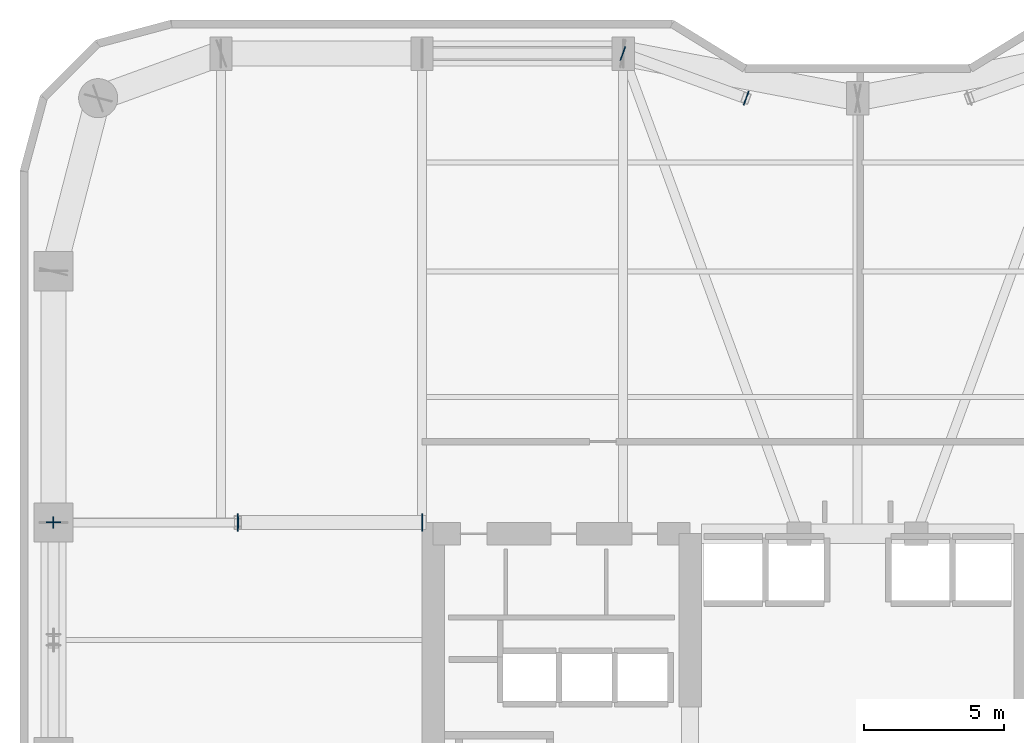
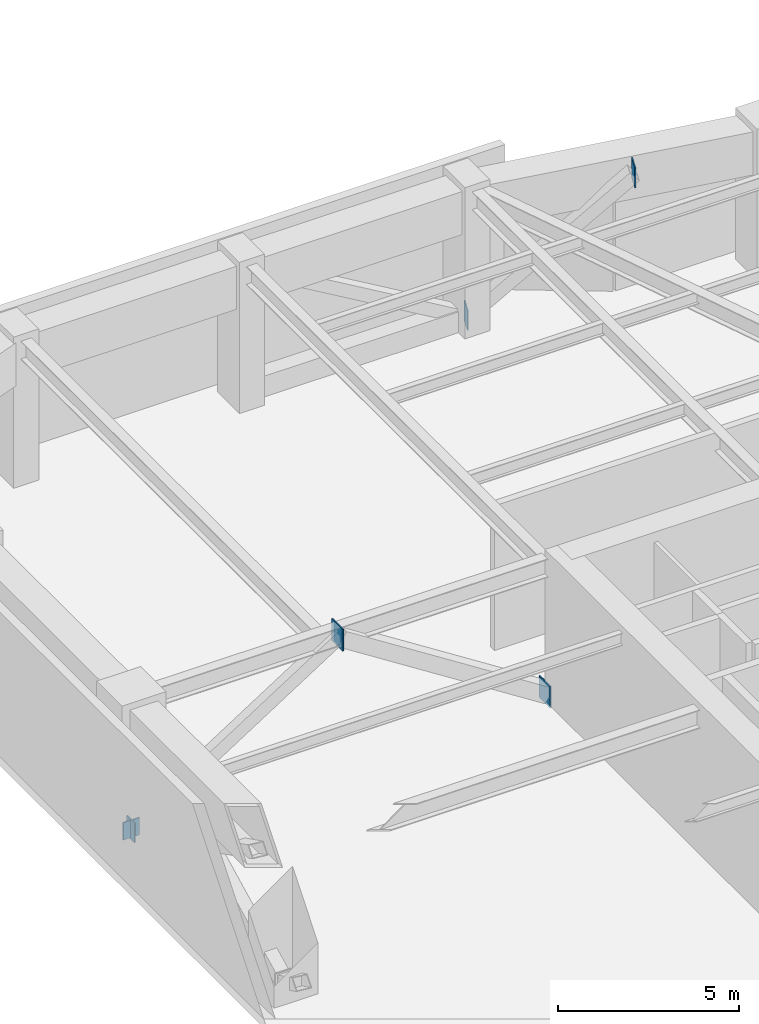
# One storey, part 10 of 16: 7 plates.
"""IFC4 building model written with IfcOpenShell, lengths in metres."""

from ifc_helpers import new_model, si_unit, direction, frame, origin, origin_2d, place, context, subcontext, project, spatial, rectangle, extrude, material, layer, layer_set, type_object, element, save


model = new_model("IFC4")

# Units and contexts
model_context = context("Model", 3, precision=1e-05, world=origin(), true_north=direction((0.0, 1.0)))
body_context = subcontext(model_context, "Body", "Model", "MODEL_VIEW")
ifc_project = project(units=[si_unit("LENGTHUNIT", "METRE"), si_unit("AREAUNIT", "SQUARE_METRE"), si_unit("VOLUMEUNIT", "CUBIC_METRE"), si_unit("PLANEANGLEUNIT", "RADIAN"), si_unit("MASSUNIT", "GRAM", prefix="KILO")], contexts=[model_context])

# Site, building, storey
site_placement = place(None, origin())
site = spatial("IfcSite", under=ifc_project, at=site_placement, CompositionType="ELEMENT")
building_placement = place(site_placement, origin())
building = spatial("IfcBuilding", under=site, at=building_placement, Name="Kiyonajd Concourse Tower", CompositionType="ELEMENT")
storey_placement = place(building_placement, frame((0.0, 0.0, 145.5)))
storey = spatial("IfcBuildingStorey", under=building, at=storey_placement, Name="L37", CompositionType="ELEMENT", Elevation=145.5)

# Plates
ifc_material = material(Name="Steel ASTM A572 Grade 50", Category="steel")
ifc_layer = layer(ifc_material, 0.031982421875)
ifc_layer_set = layer_set([ifc_layer], Name="Steel ASTM A572 Grade 50")
plate_type = type_object("IfcPlateType", Name="PL-CAP-540", PredefinedType="USERDEFINED", material=ifc_layer_set)
for number, where, z_axis, x_axis, name in (
    (1, (32.4091796875, 44.39990234375, -0.07275390625), (0.0, 0.0, 1.0), (1.0, 0.0, 0.0), "L37 Outrigger End Cap Plate 03"),
    (2, (25.790771484375, 44.39990234375, 4.1689453125), (0.0, 0.0, 1.0), (-1.0, 0.0, 0.0), "L37 Outrigger Far End Cap Plate 03"),
):
    element("IfcPlate", number, at=place(storey_placement, frame(where, z_axis=z_axis, x_axis=x_axis)), inside=storey, type_object=plate_type, Name=name, ObjectType="CAP PLATE", PredefinedType="USERDEFINED", context=body_context, shape_type="SweptSolid", body=[
        extrude(rectangle(XDim=0.035888671875, YDim=0.6201171875, at=origin_2d()), origin(), (0.0, 0.0, 1.0), 0.73388671875),
    ])
for number, where, z_axis, x_axis, name in (
    (3, (25.809326171875, 44.39990234375, 4.19873046875), (0.0, 0.0, 1.0), (1.0, 0.0, 0.0), "L37 Outrigger End Cap Plate 04"),
    (4, (19.190673828125, 44.39990234375, -0.04296875), (0.0, 0.0, 1.0), (-1.0, 0.0, 0.0), "L37 Outrigger Far End Cap Plate 04"),
):
    element("IfcPlate", number, at=place(storey_placement, frame(where, z_axis=z_axis, x_axis=x_axis)), inside=storey, type_object=plate_type, Name=name, ObjectType="CAP PLATE", PredefinedType="USERDEFINED", context=body_context, shape_type="SweptSolid", body=[
        extrude(rectangle(XDim=0.035888671875, YDim=0.419921875, at=origin_2d()), origin(), (0.0, 0.0, 1.0), 0.674072265625),
    ])
for number, where, z_axis, x_axis, name in (
    (5, (39.59228515625, 61.202880859375, -0.046875), (0.0, 0.0, 1.0), (-0.939811951086, 0.341692107891, 0.0), "L37 Outrigger End Cap Plate 14"),
    (6, (44.0078125, 59.59716796875, 4.19775390625), (0.0, 0.0, 1.0), (0.939811951086, -0.341692107891, 0.0), "L37 Outrigger Far End Cap Plate 14"),
):
    element("IfcPlate", number, at=place(storey_placement, frame(where, z_axis=z_axis, x_axis=x_axis)), inside=storey, type_object=plate_type, Name=name, ObjectType="CAP PLATE", PredefinedType="USERDEFINED", context=body_context, shape_type="SweptSolid", body=[
        extrude(rectangle(XDim=0.035888671875, YDim=0.52001953125, at=origin_2d()), origin(), (0.0, 0.0, 1.0), 0.678955078125),
    ])
plate_placement = place(storey_placement, frame((19.199951171875, 44.409912109375, 0.001220703125), z_axis=(0.0, 0.0, 1.0), x_axis=(0.0, 1.0, 0.0)))
element("IfcPlate", 7, at=plate_placement, inside=storey, type_object=plate_type, Name="L37 X Brace Far End Cap W2", ObjectType="CAP PLATE", PredefinedType="USERDEFINED", context=body_context, shape_type="SweptSolid", body=[
    extrude(rectangle(XDim=0.035888671875, YDim=0.52001953125, at=origin_2d()), origin(), (0.0, 0.0, 1.0), 0.587890625),
])

save(model, "model.ifc")
